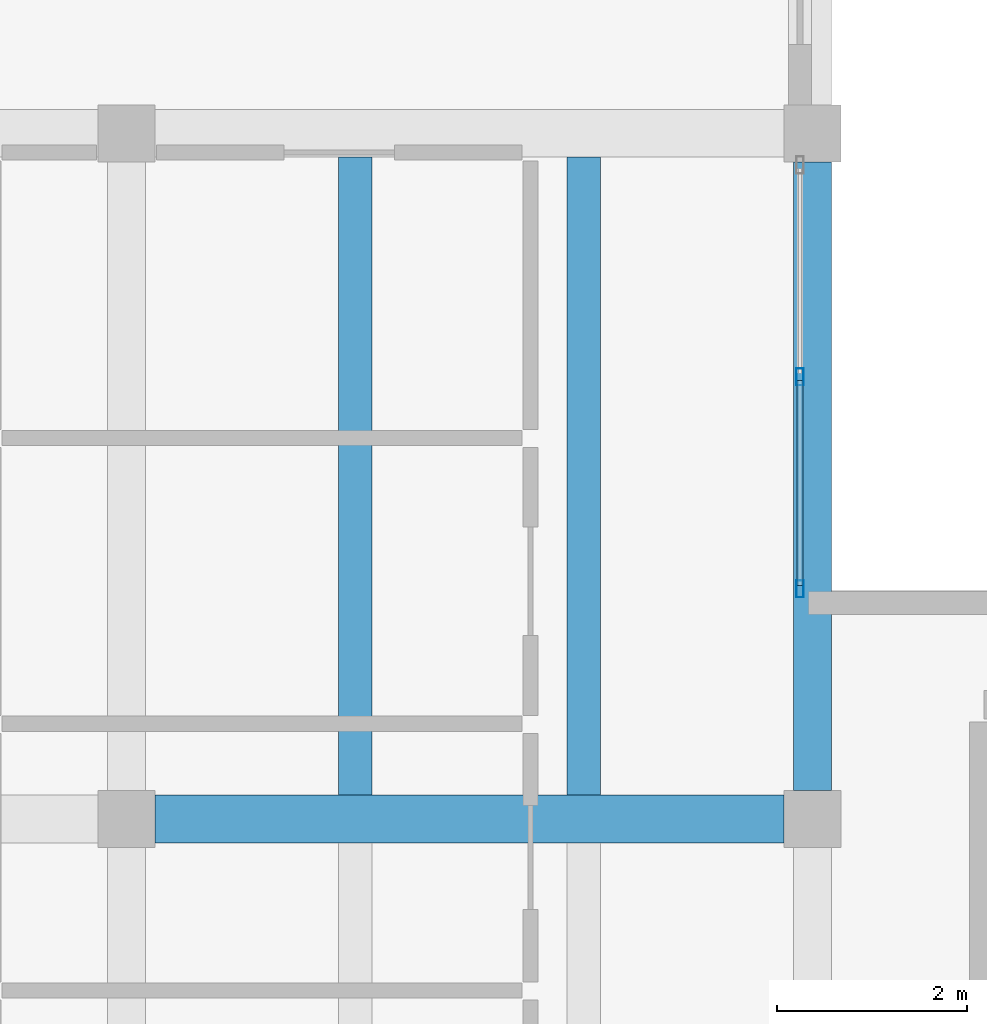
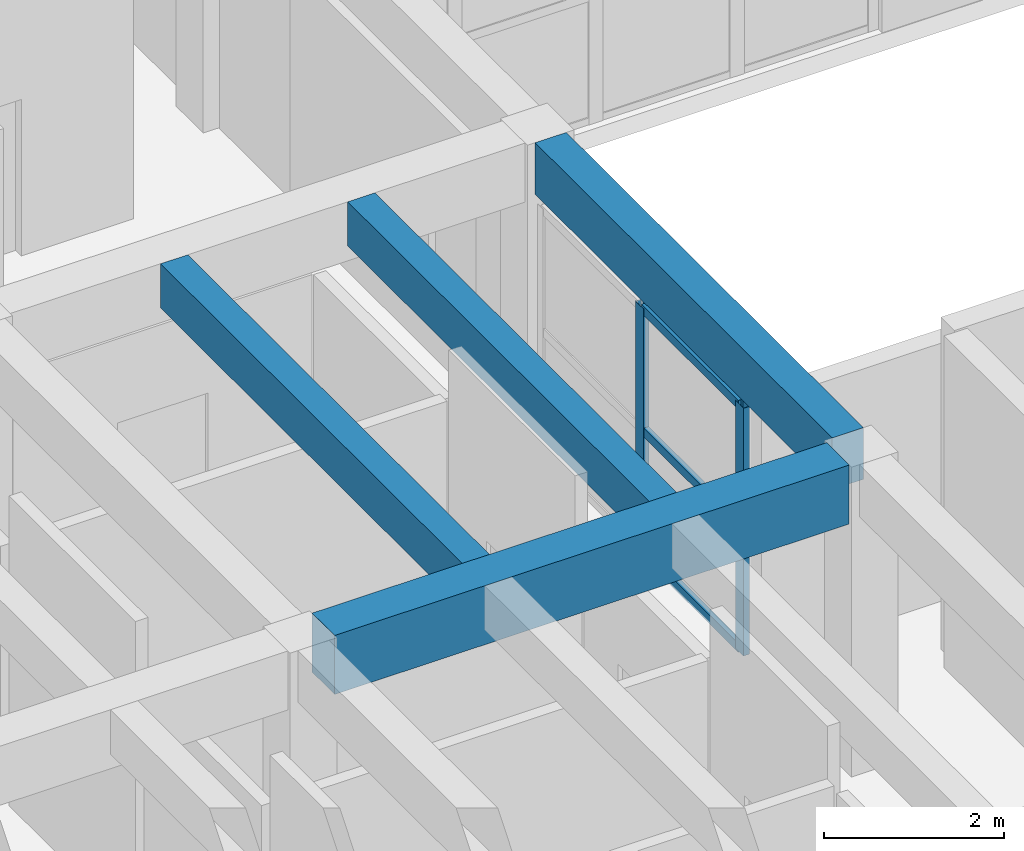
# One storey, part 66 of 153: 5 members, 4 beams, 1 element without a shape of its own.
"""IFC4 building model written with IfcOpenShell, lengths in metres."""

from ifc_helpers import new_model, si_unit, direction, frame, origin, origin_2d, place, context, subcontext, project, spatial, rectangle, hollow_rectangle, extrude, material, material_profile, profile_set, type_object, element, aggregate, save


model = new_model("IFC4")

# Units and contexts
model_context = context("Model", 3, precision=1e-05, world=origin(), true_north=direction((0.0, 1.0)))
body_context = subcontext(model_context, "Body", "Model", "MODEL_VIEW")
ifc_project = project(units=[si_unit("LENGTHUNIT", "METRE"), si_unit("AREAUNIT", "SQUARE_METRE"), si_unit("VOLUMEUNIT", "CUBIC_METRE"), si_unit("PLANEANGLEUNIT", "RADIAN"), si_unit("MASSUNIT", "GRAM", prefix="KILO")], contexts=[model_context])

# Site, building, storey
site_placement = place(None, origin())
site = spatial("IfcSite", under=ifc_project, at=site_placement, CompositionType="ELEMENT")
building_placement = place(site_placement, origin())
building = spatial("IfcBuilding", under=site, at=building_placement, Name="Bramvelor Terrace Health Centre", CompositionType="ELEMENT")
storey_placement = place(building_placement, frame((0.0, 0.0, 4.800048828125)))
storey = spatial("IfcBuildingStorey", under=building, at=storey_placement, Name="L02", CompositionType="ELEMENT", Elevation=4.800048828125)

# Beams
ifc_material_1 = material(Name="Concrete C40/50", Category="concrete")
ifc_material_profile_1 = material_profile(ifc_material_1, rectangle(XDim=0.39990234375, YDim=0.699951171875, at=origin_2d()), Name="RC 400x700")
ifc_profile_set_1 = profile_set([ifc_material_profile_1], Name="Concrete C40/50")
beam_type_1 = type_object("IfcBeamType", Name="BM-RC-G700", PredefinedType="BEAM", material=ifc_profile_set_1)
beam_1_placement = place(storey_placement, frame((14.39990234375, 93.89990234375, 3.849853515625), z_axis=(0.0, 1.0, 0.0), x_axis=(-1.0, 0.0, 0.0)))
element("IfcBeam", 1, at=beam_1_placement, inside=storey, type_object=beam_type_1, Name="L02 Floor Girder", PredefinedType="BEAM", context=body_context, shape_type="SweptSolid", body=[
    extrude(rectangle(XDim=0.39990234375, YDim=0.699951171875, at=origin_2d()), origin(), (0.0, 0.0, 1.0), 6.60009765625),
])
ifc_material_2 = material(Name="Concrete C40/50", Category="concrete")
ifc_material_profile_2 = material_profile(ifc_material_2, rectangle(XDim=0.5, YDim=0.800048828125, at=origin_2d()), Name="RC 500x800")
ifc_profile_set_2 = profile_set([ifc_material_profile_2], Name="Concrete C40/50")
beam_type_2 = type_object("IfcBeamType", Name="BM-RC-G800", PredefinedType="BEAM", material=ifc_profile_set_2)
beam_2_placement = place(storey_placement, frame((7.5, 93.60009765625, 3.800048828125), z_axis=(1.0, 0.0, 0.0), x_axis=(0.0, 1.0, 0.0)))
element("IfcBeam", 2, at=beam_2_placement, inside=storey, type_object=beam_type_2, Name="L02 Floor Girder", PredefinedType="BEAM", context=body_context, shape_type="SweptSolid", body=[
    extrude(rectangle(XDim=0.5, YDim=0.800048828125, at=origin_2d()), origin(), (0.0, 0.0, 1.0), 6.60009765625),
])
ifc_material_3 = material(Name="Concrete C40/50", Category="concrete")
ifc_material_profile_3 = material_profile(ifc_material_3, rectangle(XDim=0.35009765625, YDim=0.60009765625, at=origin_2d()), Name="RC 350x600")
ifc_profile_set_3 = profile_set([ifc_material_profile_3], Name="Concrete C40/50")
beam_type_3 = type_object("IfcBeamType", Name="BM-RC-J600", PredefinedType="JOIST", material=ifc_profile_set_3)
for number, where, z_axis, x_axis, name in (
    (3, (9.60009765625, 93.85009765625, 3.89990234375), (0.0, 1.0, 0.0), (-1.0, 0.0, 0.0), "L02 Secondary Floor Joist"),
    (4, (12.0, 93.85009765625, 3.89990234375), (0.0, 1.0, 0.0), (-1.0, 0.0, 0.0), "L02 Secondary Floor Joist"),
):
    element("IfcBeam", number, at=place(storey_placement, frame(where, z_axis=z_axis, x_axis=x_axis)), inside=storey, type_object=beam_type_3, Name=name, PredefinedType="JOIST", context=body_context, shape_type="SweptSolid", body=[
        extrude(rectangle(XDim=0.35009765625, YDim=0.60009765625, at=origin_2d()), origin(), (0.0, 0.0, 1.0), 6.699951171875),
    ])

# Curtain wall, members
ifc_material_4 = material(Name="Anodized aluminium and double low-E glass", Category="aluminium")
curtain_wall_type = type_object("IfcCurtainWallType", Name="CW-SYS-21", PredefinedType="NOTDEFINED", material=ifc_material_4)
curtain_wall_placement = place(storey_placement, origin())
curtain_wall = element("IfcCurtainWall", 5, at=curtain_wall_placement, inside=storey, type_object=curtain_wall_type, Name="L02 Unitized Curtain Wall 143", PredefinedType="NOTDEFINED")
ifc_material_5 = material(Name="Anodized aluminium 6063-T6", Category="aluminium")
ifc_material_profile_4 = material_profile(ifc_material_5, hollow_rectangle(XDim=0.074951171875, YDim=0.179931640625, WallThickness=0.00341796875, at=origin_2d()), Name="ALU-MUL 75x180x3.5")
ifc_profile_set_4 = profile_set([ifc_material_profile_4], Name="Anodized aluminium 6063-T6")
member_type_1 = type_object("IfcMemberType", Name="CW-MUL-65x180", PredefinedType="MULLION", material=ifc_profile_set_4)
member_1_placement = place(storey_placement, frame((14.27001953125, 98.242431640625, 0.0), z_axis=(0.0, 0.0, 1.0), x_axis=(1.0, 0.0, 0.0)))
member_1 = element("IfcMember", 6, at=member_1_placement, type_object=member_type_1, Name="CW-21 mullion 2", PredefinedType="MULLION", context=body_context, shape_type="SweptSolid", body=[
    extrude(hollow_rectangle(XDim=0.074951171875, YDim=0.179931640625, WallThickness=0.00341796875, at=origin_2d()), origin(), (0.0, 0.0, 1.0), 3.35986328125),
])
member_2_placement = place(storey_placement, frame((14.27001953125, 96.017578125, 0.0), z_axis=(0.0, 0.0, 1.0), x_axis=(1.0, 0.0, 0.0)))
member_2 = element("IfcMember", 7, at=member_2_placement, type_object=member_type_1, Name="CW-21 mullion 3", PredefinedType="MULLION", context=body_context, shape_type="SweptSolid", body=[
    extrude(hollow_rectangle(XDim=0.074951171875, YDim=0.179931640625, WallThickness=0.00341796875, at=origin_2d()), origin(), (0.0, 0.0, 1.0), 3.35986328125),
])
ifc_material_6 = material(Name="Anodized aluminium 6063-T6", Category="aluminium")
ifc_material_profile_5 = material_profile(ifc_material_6, hollow_rectangle(XDim=0.06494140625, YDim=0.1201171875, WallThickness=0.0029296875, at=origin_2d()), Name="ALU-TRN 65x120x3.0")
ifc_profile_set_5 = profile_set([ifc_material_profile_5], Name="Anodized aluminium 6063-T6")
member_type_2 = type_object("IfcMemberType", Name="CW-TRN-65x150", PredefinedType="USERDEFINED", material=ifc_profile_set_5)
member_3_placement = place(storey_placement, frame((14.27001953125, 98.205078125, 0.032470703125), z_axis=(0.0, -1.0, 0.0), x_axis=(1.0, 0.0, 0.0)))
member_3 = element("IfcMember", 8, at=member_3_placement, type_object=member_type_2, Name="CW-21 transom 2.1", ObjectType="TRANSOM", PredefinedType="USERDEFINED", context=body_context, shape_type="SweptSolid", body=[
    extrude(hollow_rectangle(XDim=0.06494140625, YDim=0.1201171875, WallThickness=0.0029296875, at=origin_2d()), origin(), (0.0, 0.0, 1.0), 2.150146484375),
])
member_4_placement = place(storey_placement, frame((14.27001953125, 98.205078125, 1.679931640625), z_axis=(0.0, -1.0, 0.0), x_axis=(1.0, 0.0, 0.0)))
member_4 = element("IfcMember", 9, at=member_4_placement, type_object=member_type_2, Name="CW-21 transom 2.2", ObjectType="TRANSOM", PredefinedType="USERDEFINED", context=body_context, shape_type="SweptSolid", body=[
    extrude(hollow_rectangle(XDim=0.06494140625, YDim=0.1201171875, WallThickness=0.0029296875, at=origin_2d()), origin(), (0.0, 0.0, 1.0), 2.150146484375),
])
member_5_placement = place(storey_placement, frame((14.27001953125, 98.205078125, 3.327392578125), z_axis=(0.0, -1.0, 0.0), x_axis=(1.0, 0.0, 0.0)))
member_5 = element("IfcMember", 10, at=member_5_placement, type_object=member_type_2, Name="CW-21 transom 2.3", ObjectType="TRANSOM", PredefinedType="USERDEFINED", context=body_context, shape_type="SweptSolid", body=[
    extrude(hollow_rectangle(XDim=0.06494140625, YDim=0.1201171875, WallThickness=0.0029296875, at=origin_2d()), origin(), (0.0, 0.0, 1.0), 2.150146484375),
])
aggregate(curtain_wall, [member_1, member_2, member_3, member_4, member_5])

save(model, "model.ifc")
